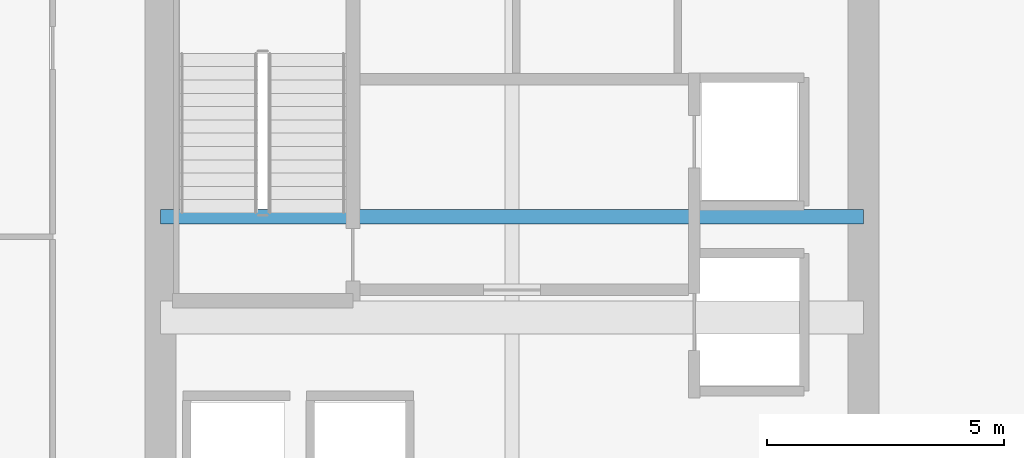
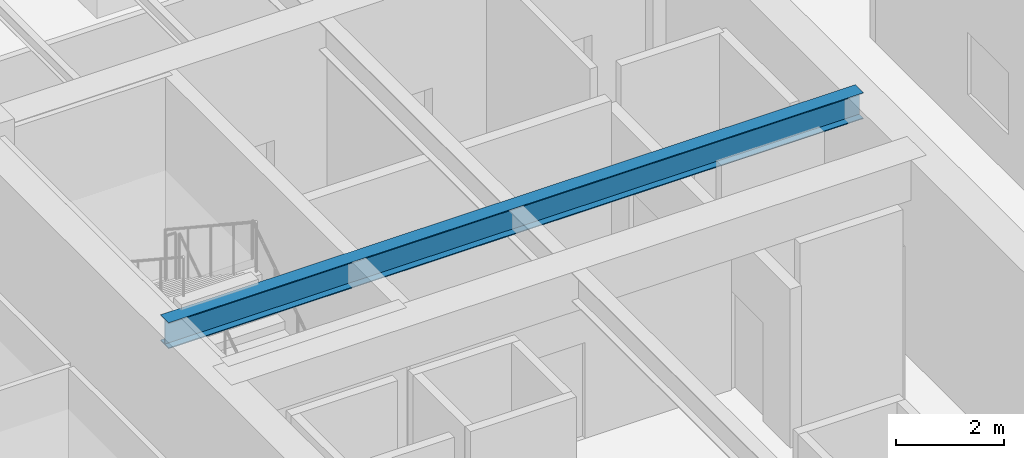
# One storey, part 9 of 33: 1 beam.
"""IFC4 building model written with IfcOpenShell, lengths in metres."""

from ifc_helpers import new_model, si_unit, direction, frame, origin, origin_2d, place, context, subcontext, project, spatial, i_section, extrude, source, transform, mapped, material, material_profile, profile_set, type_object, type_shapes, element, save


model = new_model("IFC4")

# Units and contexts
model_context = context("Model", 3, precision=1e-05, world=origin(), true_north=direction((0.0, 1.0)))
body_context = subcontext(model_context, "Body", "Model", "MODEL_VIEW")
ifc_project = project(units=[si_unit("LENGTHUNIT", "METRE"), si_unit("AREAUNIT", "SQUARE_METRE"), si_unit("VOLUMEUNIT", "CUBIC_METRE"), si_unit("PLANEANGLEUNIT", "RADIAN"), si_unit("MASSUNIT", "GRAM", prefix="KILO")], contexts=[model_context])

# Site, building, storey
site_placement = place(None, origin())
site = spatial("IfcSite", under=ifc_project, at=site_placement, CompositionType="ELEMENT")
building_placement = place(site_placement, origin())
building = spatial("IfcBuilding", under=site, at=building_placement, Name="Haelvirn Gate Laboratories", CompositionType="ELEMENT")
storey_placement = place(building_placement, frame((0.0, 0.0, 100.300048828125)))
storey = spatial("IfcBuildingStorey", under=building, at=storey_placement, Name="L24", CompositionType="ELEMENT", Elevation=100.300048828125)

# Beam
ifc_material = material(Name="Steel SM355", Category="steel")
ifc_material_profile = material_profile(ifc_material, i_section(OverallWidth=0.300048828125, OverallDepth=0.587890625, WebThickness=0.011962890625, FlangeThickness=0.02001953125, at=origin_2d()), Name="H-588x300x12x20")
ifc_profile_set = profile_set([ifc_material_profile], Name="Steel SM355")
beam_type = type_object("IfcBeamType", Name="BM-G-588", PredefinedType="BEAM", material=ifc_profile_set)
shared_shape = source(origin(), body_context, "Body", "SweptSolid", [
    extrude(i_section(OverallWidth=0.300048828125, OverallDepth=0.587890625, WebThickness=0.011962890625, FlangeThickness=0.02001953125, at=origin_2d()), origin(), (0.0, 0.0, 1.0), 14.800048828125),
])
type_shapes(beam_type, [shared_shape])
beam_placement = place(storey_placement, frame((7.39990234375, 26.6201171875, 4.196044921875), z_axis=(1.0, 0.0, 0.0), x_axis=(0.0, 1.0, 0.0)))
element("IfcBeam", 1, at=beam_placement, inside=storey, type_object=beam_type, Name="L24 Stair ST1 Landing Header", PredefinedType="BEAM", context=body_context, shape_type="MappedRepresentation", body=[
    mapped(shared_shape, transform((0.0, 0.0, 0.0), scale=1.0)),
])

save(model, "model.ifc")
